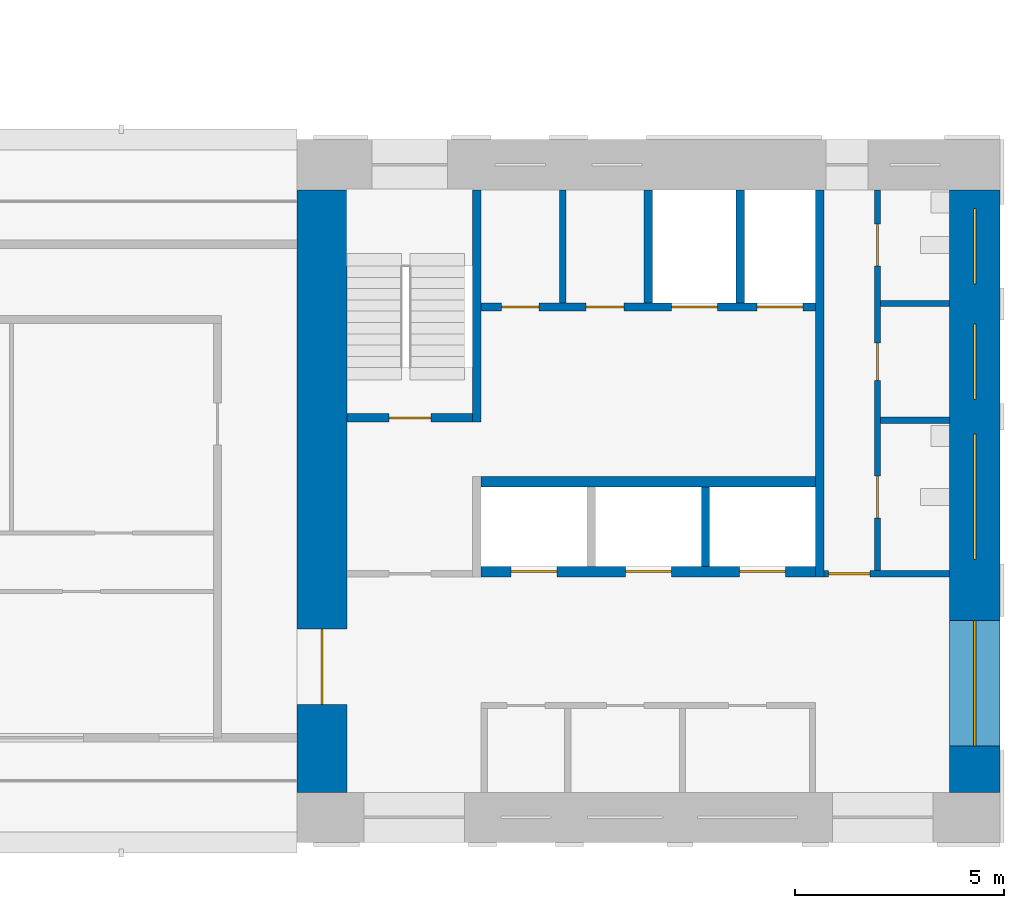
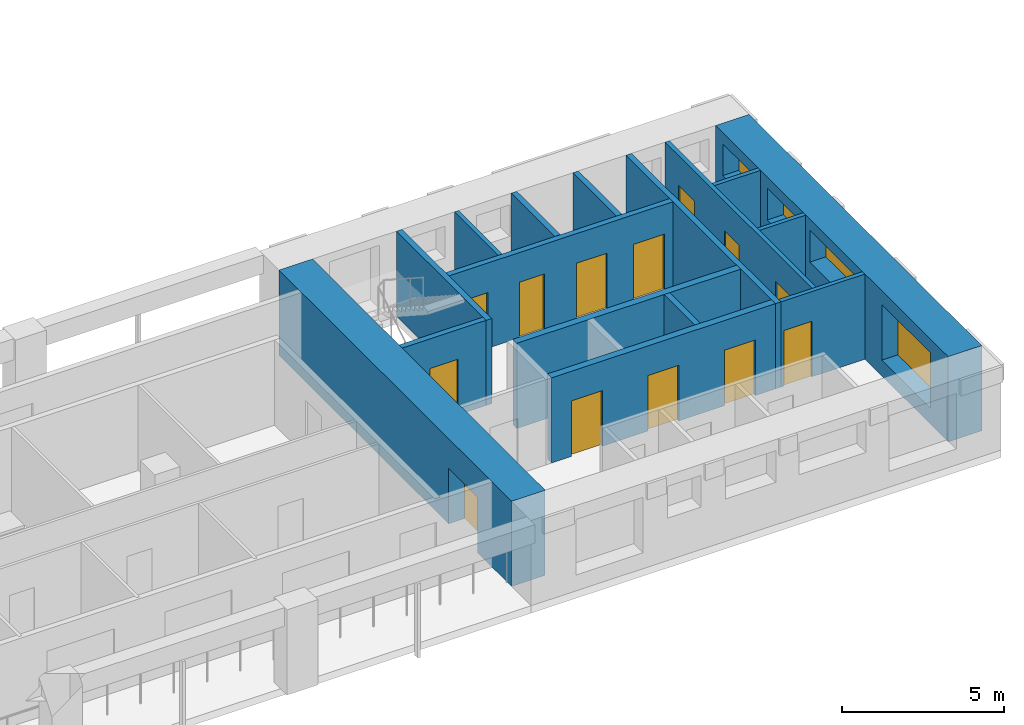
# One storey, part 4 of 9: 16 walls, 13 doors, 4 windows, 17 openings.
"""IFC4 building model written with IfcOpenShell, lengths in metres."""

from ifc_helpers import new_model, si_unit, direction, frame, frame_2d, origin, place, context, subcontext, project, spatial, rectangle, extrude, material, layer, layer_set, type_object, element, fill, save


model = new_model("IFC4")

# Units and contexts
model_context = context("Model", 3, precision=1e-05, world=origin(), true_north=direction((0.0, 1.0)))
body_context = subcontext(model_context, "Body", "Model", "MODEL_VIEW")
ifc_project = project(units=[si_unit("LENGTHUNIT", "METRE"), si_unit("AREAUNIT", "SQUARE_METRE"), si_unit("VOLUMEUNIT", "CUBIC_METRE"), si_unit("PLANEANGLEUNIT", "RADIAN"), si_unit("MASSUNIT", "GRAM", prefix="KILO")], contexts=[model_context])

# Site, building, storey
site_placement = place(None, origin())
site = spatial("IfcSite", under=ifc_project, at=site_placement, CompositionType="ELEMENT")
building_placement = place(site_placement, origin())
building = spatial("IfcBuilding", under=site, at=building_placement, Name="Vermilion Gate Residences", CompositionType="ELEMENT")
storey_placement = place(building_placement, frame((0.0, 0.0, 224.699951171875)))
storey = spatial("IfcBuildingStorey", under=building, at=storey_placement, Name="L58", CompositionType="ELEMENT", Elevation=224.699951171875)

# Wall
ifc_material_1 = material(Name="Masonry blockwork", Category="masonry")
ifc_layer_1 = layer(ifc_material_1, 0.14990234375)
ifc_layer_set_1 = layer_set([ifc_layer_1], Name="BLOCKWORK PARTITION 150 EI 120")
wall_type_1 = type_object("IfcWallType", Name="BLOCKWORK PARTITION 150 EI 120", PredefinedType="PARTITIONING", material=ifc_layer_set_1)
wall_1_placement = place(storey_placement, frame((48.35009765625, 21.300048828125, 0.0), z_axis=(0.0, 0.0, 1.0), x_axis=(0.0, 1.0, 0.0)))
element("IfcWall", 1, at=wall_1_placement, inside=storey, type_object=wall_type_1, Name="Core room partition A58-NR-P0", PredefinedType="PARTITIONING", context=body_context, shape_type="SweptSolid", body=[
    extrude(rectangle(XDim=2.699951171875, YDim=0.14990234375, at=frame_2d((1.35009765625, 0.0))), origin(), (0.0, 0.0, 1.0), 3.219970703125),
])

# Wall, opening, door
wall_2_placement = place(storey_placement, frame((54.60009765625, 14.824951171875, 0.0), z_axis=(0.0, 0.0, 1.0), x_axis=(1.0, 0.0, 0.0)))
wall_2 = element("IfcWall", 2, at=wall_2_placement, inside=storey, type_object=wall_type_1, Name="Core room partition A58-ES-S", PredefinedType="PARTITIONING", context=body_context, shape_type="SweptSolid", body=[
    extrude(rectangle(XDim=3.0, YDim=0.14990234375, at=frame_2d((1.5, 0.0))), origin(), (0.0, 0.0, 1.0), 3.219970703125),
])
opening_1_placement = place(wall_2_placement, frame((0.10009765625, 0.0, 0.0)))
opening_1 = element("IfcOpeningElement", 3, at=opening_1_placement, cuts=wall_2, Name="Opening DK58014", PredefinedType="OPENING", context=body_context, shape_type="SweptSolid", body=[
    extrude(rectangle(XDim=1.0, YDim=2.10009765625, at=frame_2d((0.5, 1.050048828125))), frame((0.0, 0.0849609375, 0.0), z_axis=(0.0, -1.0, 0.0), x_axis=(1.0, 0.0, 0.0)), (0.0, 0.0, 1.0), 0.169921875),
])
ifc_material_2 = material(Name="Steel", Category="steel")
door_type_1 = type_object("IfcDoorType", Name="FIRE DOOR FD60 1000 X 2100", OperationType="SINGLE_SWING_LEFT", PredefinedType="DOOR", material=ifc_material_2)
door_1_placement = place(opening_1_placement, frame((1.0, 0.0, 0.0), z_axis=(0.0, 0.0, 1.0), x_axis=(-1.0, 0.0, 0.0)))
door_1 = element("IfcDoor", 4, at=door_1_placement, inside=storey, type_object=door_type_1, Name="Service corridor door A58", OperationType="SINGLE_SWING_LEFT", OverallHeight=2.10009765625, OverallWidth=1.0, PredefinedType="DOOR", context=body_context, shape_type="SweptSolid", body=[
    extrude(rectangle(XDim=1.0, YDim=2.10009765625, at=frame_2d((0.5, 1.050048828125))), frame((0.0, 0.02490234375, 0.0), z_axis=(0.0, -1.0, 0.0), x_axis=(1.0, 0.0, 0.0)), (0.0, 0.0, 1.0), 0.050048828125),
])
fill(opening_1, door_1)

# Walls
for number, where, z_axis, x_axis, name in (
    (5, (55.949951171875, 18.4951171875, 0.0), (0.0, 0.0, 1.0), (1.0, 0.0, 0.0), "Core room partition A58-ES-P0"),
    (6, (55.949951171875, 21.284912109375, 0.0), (0.0, 0.0, 1.0), (1.0, 0.0, 0.0), "Core room partition A58-ES-P1"),
):
    element("IfcWall", number, at=place(storey_placement, frame(where, z_axis=z_axis, x_axis=x_axis)), inside=storey, type_object=wall_type_1, Name=name, PredefinedType="PARTITIONING", context=body_context, shape_type="SweptSolid", body=[
        extrude(rectangle(XDim=1.650146484375, YDim=0.14990234375, at=frame_2d((0.8251953125, 0.0))), origin(), (0.0, 0.0, 1.0), 3.219970703125),
    ])

# Wall, openings, doors
wall_3_placement = place(storey_placement, frame((55.875, 14.89990234375, 0.0), z_axis=(0.0, 0.0, 1.0), x_axis=(0.0, 1.0, 0.0)))
wall_3 = element("IfcWall", 7, at=wall_3_placement, inside=storey, type_object=wall_type_1, Name="Core room partition A58-ES-W", PredefinedType="PARTITIONING", context=body_context, shape_type="SweptSolid", body=[
    extrude(rectangle(XDim=9.10009765625, YDim=0.14990234375, at=frame_2d((4.550048828125, 0.0))), origin(), (0.0, 0.0, 1.0), 3.219970703125),
])
opening_2_placement = place(wall_3_placement, frame((1.260009765625, 0.0, 0.0)))
opening_2 = element("IfcOpeningElement", 8, at=opening_2_placement, cuts=wall_3, Name="Opening DK58015", PredefinedType="OPENING", context=body_context, shape_type="SweptSolid", body=[
    extrude(rectangle(XDim=1.0, YDim=2.10009765625, at=frame_2d((0.5, 1.050048828125))), frame((0.0, 0.0849609375, 0.0), z_axis=(0.0, -1.0, 0.0), x_axis=(1.0, 0.0, 0.0)), (0.0, 0.0, 1.0), 0.169921875),
])
opening_3_placement = place(wall_3_placement, frame((4.5400390625, 0.0, 0.0)))
opening_3 = element("IfcOpeningElement", 9, at=opening_3_placement, cuts=wall_3, Name="Opening DK58016", PredefinedType="OPENING", context=body_context, shape_type="SweptSolid", body=[
    extrude(rectangle(XDim=0.89990234375, YDim=2.10009765625, at=frame_2d((0.449951171875, 1.050048828125))), frame((0.0, 0.0849609375, 0.0), z_axis=(0.0, -1.0, 0.0), x_axis=(1.0, 0.0, 0.0)), (0.0, 0.0, 1.0), 0.169921875),
])
opening_4_placement = place(wall_3_placement, frame((7.280029296875, 0.0, 0.0)))
opening_4 = element("IfcOpeningElement", 10, at=opening_4_placement, cuts=wall_3, Name="Opening DK58017", PredefinedType="OPENING", context=body_context, shape_type="SweptSolid", body=[
    extrude(rectangle(XDim=1.0, YDim=2.10009765625, at=frame_2d((0.5, 1.050048828125))), frame((0.0, 0.0849609375, 0.0), z_axis=(0.0, -1.0, 0.0), x_axis=(1.0, 0.0, 0.0)), (0.0, 0.0, 1.0), 0.169921875),
])
door_2_placement = place(opening_2_placement, frame((1.0, 0.0, 0.0), z_axis=(0.0, 0.0, 1.0), x_axis=(-1.0, 0.0, 0.0)))
door_2 = element("IfcDoor", 11, at=door_2_placement, inside=storey, type_object=door_type_1, Name="Accessible WC A58", OperationType="SINGLE_SWING_RIGHT", OverallHeight=2.10009765625, OverallWidth=1.0, PredefinedType="DOOR", context=body_context, shape_type="SweptSolid", body=[
    extrude(rectangle(XDim=1.0, YDim=2.10009765625, at=frame_2d((0.5, 1.050048828125))), frame((0.0, 0.02490234375, 0.0), z_axis=(0.0, -1.0, 0.0), x_axis=(1.0, 0.0, 0.0)), (0.0, 0.0, 1.0), 0.050048828125),
])
fill(opening_2, door_2)
door_3_placement = place(opening_4_placement, frame((1.0, 0.0, 0.0), z_axis=(0.0, 0.0, 1.0), x_axis=(-1.0, 0.0, 0.0)))
door_3 = element("IfcDoor", 12, at=door_3_placement, inside=storey, type_object=door_type_1, Name="Accessible WC A58", OperationType="SINGLE_SWING_RIGHT", OverallHeight=2.10009765625, OverallWidth=1.0, PredefinedType="DOOR", context=body_context, shape_type="SweptSolid", body=[
    extrude(rectangle(XDim=1.0, YDim=2.10009765625, at=frame_2d((0.5, 1.050048828125))), frame((0.0, 0.02490234375, 0.0), z_axis=(0.0, -1.0, 0.0), x_axis=(1.0, 0.0, 0.0)), (0.0, 0.0, 1.0), 0.050048828125),
])
fill(opening_4, door_3)
ifc_material_3 = material(Name="Steel", Category="steel")
door_type_2 = type_object("IfcDoorType", Name="SERVICE ROOM DOOR FD60 900 X 2100", OperationType="SINGLE_SWING_LEFT", PredefinedType="DOOR", material=ifc_material_3)
door_4_placement = place(opening_3_placement, frame((0.89990234375, 0.0, 0.0), z_axis=(0.0, 0.0, 1.0), x_axis=(-1.0, 0.0, 0.0)))
door_4 = element("IfcDoor", 13, at=door_4_placement, inside=storey, type_object=door_type_2, Name="Communications room A58", OperationType="SINGLE_SWING_RIGHT", OverallHeight=2.10009765625, OverallWidth=0.89990234375, PredefinedType="DOOR", context=body_context, shape_type="SweptSolid", body=[
    extrude(rectangle(XDim=0.89990234375, YDim=2.10009765625, at=frame_2d((0.449951171875, 1.050048828125))), frame((0.0, 0.02490234375, 0.0), z_axis=(0.0, -1.0, 0.0), x_axis=(1.0, 0.0, 0.0)), (0.0, 0.0, 1.0), 0.050048828125),
])
fill(opening_3, door_4)

# Walls
ifc_material_4 = material(Name="Concrete C60", Category="concrete")
ifc_layer_2 = layer(ifc_material_4, 0.199951171875)
ifc_layer_set_2 = layer_set([ifc_layer_2], Name="RC CORE INTERNAL WALL 200 C60")
wall_type_2 = type_object("IfcWallType", Name="RC CORE INTERNAL WALL 200 C60", PredefinedType="SHEAR", material=ifc_layer_set_2)
wall_4_placement = place(storey_placement, frame((51.7666015625, 15.0, 0.0), z_axis=(0.0, 0.0, 1.0), x_axis=(0.0, 1.0, 0.0)))
element("IfcWall", 14, at=wall_4_placement, inside=storey, type_object=wall_type_2, Name="Core internal wall A58-HR-D2", PredefinedType="SHEAR", context=body_context, shape_type="SweptSolid", body=[
    extrude(rectangle(XDim=1.89990234375, YDim=0.199951171875, at=frame_2d((0.949951171875, 0.0))), origin(), (0.0, 0.0, 1.0), 3.219970703125),
])
for number, where, z_axis, x_axis, name in (
    (15, (50.39990234375, 21.300048828125, 0.0), (0.0, 0.0, 1.0), (0.0, 1.0, 0.0), "Core internal wall A58-FF-D0"),
    (16, (52.60009765625, 21.300048828125, 0.0), (0.0, 0.0, 1.0), (0.0, 1.0, 0.0), "Core internal wall A58-FF-D1"),
):
    element("IfcWall", number, at=place(storey_placement, frame(where, z_axis=z_axis, x_axis=x_axis)), inside=storey, type_object=wall_type_2, Name=name, PredefinedType="SHEAR", context=body_context, shape_type="SweptSolid", body=[
        extrude(rectangle(XDim=2.699951171875, YDim=0.199951171875, at=frame_2d((1.35009765625, 0.0))), origin(), (0.0, 0.0, 1.0), 3.219970703125),
    ])

# Wall, openings, doors
wall_5_placement = place(storey_placement, frame((46.39990234375, 21.199951171875, 0.0), z_axis=(0.0, 0.0, 1.0), x_axis=(1.0, 0.0, 0.0)))
wall_5 = element("IfcWall", 17, at=wall_5_placement, inside=storey, type_object=wall_type_2, Name="Core internal wall A58-FF-F", PredefinedType="SHEAR", context=body_context, shape_type="SweptSolid", body=[
    extrude(rectangle(XDim=8.0, YDim=0.199951171875, at=frame_2d((4.0, 0.0))), origin(), (0.0, 0.0, 1.0), 3.219970703125),
])
opening_5_placement = place(wall_5_placement, frame((0.487548828125, 0.0, 0.0)))
opening_5 = element("IfcOpeningElement", 18, at=opening_5_placement, cuts=wall_5, Name="Opening DK58008", PredefinedType="OPENING", context=body_context, shape_type="SweptSolid", body=[
    extrude(rectangle(XDim=0.89990234375, YDim=2.10009765625, at=frame_2d((0.449951171875, 1.050048828125))), frame((0.0, 0.10986328125, 0.0), z_axis=(0.0, -1.0, 0.0), x_axis=(1.0, 0.0, 0.0)), (0.0, 0.0, 1.0), 0.219970703125),
])
opening_6_placement = place(wall_5_placement, frame((2.512451171875, 0.0, 0.0)))
opening_6 = element("IfcOpeningElement", 19, at=opening_6_placement, cuts=wall_5, Name="Opening DK58009", PredefinedType="OPENING", context=body_context, shape_type="SweptSolid", body=[
    extrude(rectangle(XDim=0.89990234375, YDim=2.10009765625, at=frame_2d((0.449951171875, 1.050048828125))), frame((0.0, 0.10986328125, 0.0), z_axis=(0.0, -1.0, 0.0), x_axis=(1.0, 0.0, 0.0)), (0.0, 0.0, 1.0), 0.219970703125),
])
opening_7_placement = place(wall_5_placement, frame((4.550048828125, 0.0, 0.0)))
opening_7 = element("IfcOpeningElement", 20, at=opening_7_placement, cuts=wall_5, Name="Opening LD", PredefinedType="OPENING", context=body_context, shape_type="SweptSolid", body=[
    extrude(rectangle(XDim=1.10009765625, YDim=2.10009765625, at=frame_2d((0.550048828125, 1.050048828125))), frame((0.0, 0.10986328125, 0.0), z_axis=(0.0, -1.0, 0.0), x_axis=(1.0, 0.0, 0.0)), (0.0, 0.0, 1.0), 0.219970703125),
])
opening_8_placement = place(wall_5_placement, frame((6.60009765625, 0.0, 0.0)))
opening_8 = element("IfcOpeningElement", 21, at=opening_8_placement, cuts=wall_5, Name="Opening LD", PredefinedType="OPENING", context=body_context, shape_type="SweptSolid", body=[
    extrude(rectangle(XDim=1.10009765625, YDim=2.10009765625, at=frame_2d((0.550048828125, 1.050048828125))), frame((0.0, 0.10986328125, 0.0), z_axis=(0.0, -1.0, 0.0), x_axis=(1.0, 0.0, 0.0)), (0.0, 0.0, 1.0), 0.219970703125),
])
ifc_material_5 = material(Name="Stainless steel", Category="steel")
door_type_3 = type_object("IfcDoorType", Name="LIFT LANDING DOOR E60 1100 X 2100", OperationType="DOUBLE_DOOR_SLIDING", PredefinedType="DOOR", material=ifc_material_5)
door_5_placement = place(opening_7_placement, origin())
door_5 = element("IfcDoor", 22, at=door_5_placement, inside=storey, type_object=door_type_3, Name="Lift landing door LFA1", OperationType="DOUBLE_DOOR_SLIDING", OverallHeight=2.10009765625, OverallWidth=1.10009765625, PredefinedType="DOOR", context=body_context, shape_type="SweptSolid", body=[
    extrude(rectangle(XDim=1.10009765625, YDim=2.10009765625, at=frame_2d((0.550048828125, 1.050048828125))), frame((0.0, 0.02490234375, 0.0), z_axis=(0.0, -1.0, 0.0), x_axis=(1.0, 0.0, 0.0)), (0.0, 0.0, 1.0), 0.050048828125),
])
fill(opening_7, door_5)
door_6_placement = place(opening_8_placement, origin())
door_6 = element("IfcDoor", 23, at=door_6_placement, inside=storey, type_object=door_type_3, Name="Lift landing door LCA1", OperationType="DOUBLE_DOOR_SLIDING", OverallHeight=2.10009765625, OverallWidth=1.10009765625, PredefinedType="DOOR", context=body_context, shape_type="SweptSolid", body=[
    extrude(rectangle(XDim=1.10009765625, YDim=2.10009765625, at=frame_2d((0.550048828125, 1.050048828125))), frame((0.0, 0.02490234375, 0.0), z_axis=(0.0, -1.0, 0.0), x_axis=(1.0, 0.0, 0.0)), (0.0, 0.0, 1.0), 0.050048828125),
])
fill(opening_8, door_6)
door_7_placement = place(opening_5_placement, origin())
door_7 = element("IfcDoor", 24, at=door_7_placement, inside=storey, type_object=door_type_2, Name="Housekeeping store A58", OperationType="SINGLE_SWING_LEFT", OverallHeight=2.10009765625, OverallWidth=0.89990234375, PredefinedType="DOOR", context=body_context, shape_type="SweptSolid", body=[
    extrude(rectangle(XDim=0.89990234375, YDim=2.10009765625, at=frame_2d((0.449951171875, 1.050048828125))), frame((0.0, 0.02490234375, 0.0), z_axis=(0.0, -1.0, 0.0), x_axis=(1.0, 0.0, 0.0)), (0.0, 0.0, 1.0), 0.050048828125),
])
fill(opening_5, door_7)
door_8_placement = place(opening_6_placement, origin())
door_8 = element("IfcDoor", 25, at=door_8_placement, inside=storey, type_object=door_type_2, Name="Mail room A58", OperationType="SINGLE_SWING_LEFT", OverallHeight=2.10009765625, OverallWidth=0.89990234375, PredefinedType="DOOR", context=body_context, shape_type="SweptSolid", body=[
    extrude(rectangle(XDim=0.89990234375, YDim=2.10009765625, at=frame_2d((0.449951171875, 1.050048828125))), frame((0.0, 0.02490234375, 0.0), z_axis=(0.0, -1.0, 0.0), x_axis=(1.0, 0.0, 0.0)), (0.0, 0.0, 1.0), 0.050048828125),
])
fill(opening_6, door_8)

# Wall
wall_6_placement = place(storey_placement, frame((46.300048828125, 18.449951171875, 0.0), z_axis=(0.0, 0.0, 1.0), x_axis=(0.0, 1.0, 0.0)))
element("IfcWall", 26, at=wall_6_placement, inside=storey, type_object=wall_type_2, Name="Core internal wall A58-WDIV2", PredefinedType="SHEAR", context=body_context, shape_type="SweptSolid", body=[
    extrude(rectangle(XDim=5.550048828125, YDim=0.199951171875, at=frame_2d((2.77490234375, 0.0))), origin(), (0.0, 0.0, 1.0), 3.219970703125),
])

# Wall, opening, door
wall_7_placement = place(storey_placement, frame((43.199951171875, 18.550048828125, 0.0), z_axis=(0.0, 0.0, 1.0), x_axis=(1.0, 0.0, 0.0)))
wall_7 = element("IfcWall", 27, at=wall_7_placement, inside=storey, type_object=wall_type_2, Name="Core internal wall A58-STW-S", PredefinedType="SHEAR", context=body_context, shape_type="SweptSolid", body=[
    extrude(rectangle(XDim=3.0, YDim=0.199951171875, at=frame_2d((1.5, 0.0))), origin(), (0.0, 0.0, 1.0), 3.219970703125),
])
opening_9_placement = place(wall_7_placement, frame((1.0, 0.0, 0.0)))
opening_9 = element("IfcOpeningElement", 28, at=opening_9_placement, cuts=wall_7, Name="Opening DK58013", PredefinedType="OPENING", context=body_context, shape_type="SweptSolid", body=[
    extrude(rectangle(XDim=1.0, YDim=2.10009765625, at=frame_2d((0.5, 1.050048828125))), frame((0.0, 0.10986328125, 0.0), z_axis=(0.0, -1.0, 0.0), x_axis=(1.0, 0.0, 0.0)), (0.0, 0.0, 1.0), 0.219970703125),
])
door_9_placement = place(opening_9_placement, origin())
door_9 = element("IfcDoor", 29, at=door_9_placement, inside=storey, type_object=door_type_1, Name="Stair door A58", OperationType="SINGLE_SWING_LEFT", OverallHeight=2.10009765625, OverallWidth=1.0, PredefinedType="DOOR", context=body_context, shape_type="SweptSolid", body=[
    extrude(rectangle(XDim=1.0, YDim=2.10009765625, at=frame_2d((0.5, 1.050048828125))), frame((0.0, 0.02490234375, 0.0), z_axis=(0.0, -1.0, 0.0), x_axis=(1.0, 0.0, 0.0)), (0.0, 0.0, 1.0), 0.050048828125),
])
fill(opening_9, door_9)

# Wall
wall_8_placement = place(storey_placement, frame((54.5, 14.75, 0.0), z_axis=(0.0, 0.0, 1.0), x_axis=(0.0, 1.0, 0.0)))
element("IfcWall", 30, at=wall_8_placement, inside=storey, type_object=wall_type_2, Name="Core internal wall A58-EDIV", PredefinedType="SHEAR", context=body_context, shape_type="SweptSolid", body=[
    extrude(rectangle(XDim=9.25, YDim=0.199951171875, at=frame_2d((4.625, 0.0))), origin(), (0.0, 0.0, 1.0), 3.219970703125),
])

# Wall, opening, door
ifc_material_6 = material(Name="Concrete C50", Category="concrete")
ifc_layer_3 = layer(ifc_material_6, 1.199951171875)
ifc_layer_set_3 = layer_set([ifc_layer_3], Name="RC CORE WALL 1200 C50")
wall_type_3 = type_object("IfcWallType", Name="RC CORE WALL 1200 C50", PredefinedType="SHEAR", material=ifc_layer_set_3)
wall_9_placement = place(storey_placement, frame((42.60009765625, 9.60009765625, 0.0), z_axis=(0.0, 0.0, 1.0), x_axis=(0.0, 1.0, 0.0)))
wall_9 = element("IfcWall", 31, at=wall_9_placement, inside=storey, type_object=wall_type_3, Name="Core wall A58-OUT-FR", PredefinedType="SHEAR", context=body_context, shape_type="SweptSolid", body=[
    extrude(rectangle(XDim=14.39990234375, YDim=1.199951171875, at=frame_2d((7.199951171875, 0.0))), origin(), (0.0, 0.0, 1.0), 3.219970703125),
])
opening_10_placement = place(wall_9_placement, frame((2.10009765625, 0.0, 0.0)))
opening_10 = element("IfcOpeningElement", 32, at=opening_10_placement, cuts=wall_9, Name="Opening DK58001", PredefinedType="OPENING", context=body_context, shape_type="SweptSolid", body=[
    extrude(rectangle(XDim=1.800048828125, YDim=2.10009765625, at=frame_2d((0.89990234375, 1.050048828125))), frame((0.0, 0.60986328125, 0.0), z_axis=(0.0, -1.0, 0.0), x_axis=(1.0, 0.0, 0.0)), (0.0, 0.0, 1.0), 1.219970703125),
])
ifc_material_7 = material(Name="Steel", Category="steel")
door_type_4 = type_object("IfcDoorType", Name="CORE LOBBY DOOR FD60 1800 X 2100", OperationType="DOUBLE_DOOR_SINGLE_SWING", PredefinedType="DOOR", material=ifc_material_7)
door_10_placement = place(opening_10_placement, frame((1.800048828125, 0.0, 0.0), z_axis=(0.0, 0.0, 1.0), x_axis=(-1.0, 0.0, 0.0)))
door_10 = element("IfcDoor", 33, at=door_10_placement, inside=storey, type_object=door_type_4, Name="Core lobby door A58", OperationType="DOUBLE_DOOR_SINGLE_SWING", OverallHeight=2.10009765625, OverallWidth=1.800048828125, PredefinedType="DOOR", context=body_context, shape_type="SweptSolid", body=[
    extrude(rectangle(XDim=1.800048828125, YDim=2.10009765625, at=frame_2d((0.89990234375, 1.050048828125))), frame((0.0, 0.02490234375, 0.0), z_axis=(0.0, -1.0, 0.0), x_axis=(1.0, 0.0, 0.0)), (0.0, 0.0, 1.0), 0.050048828125),
])
fill(opening_10, door_10)

# Wall, openings, windows
ifc_material_8 = material(Name="Concrete C50 red-oxide pigmented", Category="concrete")
ifc_layer_4 = layer(ifc_material_8, 1.199951171875)
ifc_layer_set_4 = layer_set([ifc_layer_4], Name="RC CORE WALL 1200 C50 RED OXIDE")
wall_type_4 = type_object("IfcWallType", Name="RC CORE WALL 1200 C50 RED OXIDE", PredefinedType="SHEAR", material=ifc_layer_set_4)
wall_10_placement = place(storey_placement, frame((58.199951171875, 9.60009765625, 0.0), z_axis=(0.0, 0.0, 1.0), x_axis=(0.0, 1.0, 0.0)))
wall_10 = element("IfcWall", 34, at=wall_10_placement, inside=storey, type_object=wall_type_4, Name="Core wall A58-OUT-BK", PredefinedType="SHEAR", context=body_context, shape_type="SweptSolid", body=[
    extrude(rectangle(XDim=14.39990234375, YDim=1.199951171875, at=frame_2d((7.199951171875, 0.0))), origin(), (0.0, 0.0, 1.0), 3.219970703125),
])
opening_11_placement = place(wall_10_placement, frame((1.10498046875, 0.0, 0.60009765625)))
opening_11 = element("IfcOpeningElement", 35, at=opening_11_placement, cuts=wall_10, Name="Opening WKA5811", PredefinedType="OPENING", context=body_context, shape_type="SweptSolid", body=[
    extrude(rectangle(XDim=3.0, YDim=2.10009765625, at=frame_2d((1.5, 1.050048828125))), frame((0.0, 0.60986328125, 0.0), z_axis=(0.0, -1.0, 0.0), x_axis=(1.0, 0.0, 0.0)), (0.0, 0.0, 1.0), 1.219970703125),
])
opening_12_placement = place(wall_10_placement, frame((5.56005859375, 0.0, 1.60009765625)))
opening_12 = element("IfcOpeningElement", 36, at=opening_12_placement, cuts=wall_10, Name="Opening WKA5812", PredefinedType="OPENING", context=body_context, shape_type="SweptSolid", body=[
    extrude(rectangle(XDim=3.0, YDim=1.199951171875, at=frame_2d((1.5, 0.60009765625))), frame((0.0, 0.60986328125, 0.0), z_axis=(0.0, -1.0, 0.0), x_axis=(1.0, 0.0, 0.0)), (0.0, 0.0, 1.0), 1.219970703125),
])
opening_13_placement = place(wall_10_placement, frame((9.389892578125, 0.0, 1.60009765625)))
opening_13 = element("IfcOpeningElement", 37, at=opening_13_placement, cuts=wall_10, Name="Opening WKA5813", PredefinedType="OPENING", context=body_context, shape_type="SweptSolid", body=[
    extrude(rectangle(XDim=1.800048828125, YDim=1.199951171875, at=frame_2d((0.89990234375, 0.60009765625))), frame((0.0, 0.60986328125, 0.0), z_axis=(0.0, -1.0, 0.0), x_axis=(1.0, 0.0, 0.0)), (0.0, 0.0, 1.0), 1.219970703125),
])
opening_14_placement = place(wall_10_placement, frame((12.14990234375, 0.0, 1.60009765625)))
opening_14 = element("IfcOpeningElement", 38, at=opening_14_placement, cuts=wall_10, Name="Opening WKA5814", PredefinedType="OPENING", context=body_context, shape_type="SweptSolid", body=[
    extrude(rectangle(XDim=1.800048828125, YDim=1.199951171875, at=frame_2d((0.89990234375, 0.60009765625))), frame((0.0, 0.60986328125, 0.0), z_axis=(0.0, -1.0, 0.0), x_axis=(1.0, 0.0, 0.0)), (0.0, 0.0, 1.0), 1.219970703125),
])
ifc_material_9 = material(Name="Aluminium and clear glass", Category="aluminium")
window_type_1 = type_object("IfcWindowType", Name="CORE LOBBY WINDOW 3000 X 2100", PartitioningType="SINGLE_PANEL", PredefinedType="WINDOW", material=ifc_material_9)
window_1_placement = place(opening_11_placement, origin())
window_1 = element("IfcWindow", 39, at=window_1_placement, inside=storey, type_object=window_type_1, Name="Core lobby window", OverallHeight=2.10009765625, OverallWidth=3.0, PartitioningType="SINGLE_PANEL", PredefinedType="WINDOW", context=body_context, shape_type="SweptSolid", body=[
    extrude(rectangle(XDim=3.0, YDim=2.10009765625, at=frame_2d((1.5, 1.050048828125))), frame((0.0, 0.030029296875, 0.0), z_axis=(0.0, -1.0, 0.0), x_axis=(1.0, 0.0, 0.0)), (0.0, 0.0, 1.0), 0.06005859375),
])
fill(opening_11, window_1)
ifc_material_10 = material(Name="Aluminium frame with louvre blades", Category="aluminium")
window_type_2 = type_object("IfcWindowType", Name="CORE LOUVRE 1800 X 1200", PartitioningType="SINGLE_PANEL", PredefinedType="WINDOW", material=ifc_material_10)
window_2_placement = place(opening_13_placement, origin())
window_2 = element("IfcWindow", 40, at=window_2_placement, inside=storey, type_object=window_type_2, Name="Core louvre", OverallHeight=1.199951171875, OverallWidth=1.800048828125, PartitioningType="SINGLE_PANEL", PredefinedType="WINDOW", context=body_context, shape_type="SweptSolid", body=[
    extrude(rectangle(XDim=1.800048828125, YDim=1.199951171875, at=frame_2d((0.89990234375, 0.60009765625))), frame((0.0, 0.030029296875, 0.0), z_axis=(0.0, -1.0, 0.0), x_axis=(1.0, 0.0, 0.0)), (0.0, 0.0, 1.0), 0.06005859375),
])
fill(opening_13, window_2)
window_3_placement = place(opening_14_placement, origin())
window_3 = element("IfcWindow", 41, at=window_3_placement, inside=storey, type_object=window_type_2, Name="Core louvre", OverallHeight=1.199951171875, OverallWidth=1.800048828125, PartitioningType="SINGLE_PANEL", PredefinedType="WINDOW", context=body_context, shape_type="SweptSolid", body=[
    extrude(rectangle(XDim=1.800048828125, YDim=1.199951171875, at=frame_2d((0.89990234375, 0.60009765625))), frame((0.0, 0.030029296875, 0.0), z_axis=(0.0, -1.0, 0.0), x_axis=(1.0, 0.0, 0.0)), (0.0, 0.0, 1.0), 0.06005859375),
])
fill(opening_14, window_3)
ifc_material_11 = material(Name="Aluminium frame with louvre blades", Category="aluminium")
window_type_3 = type_object("IfcWindowType", Name="CORE LOUVRE 3000 X 1200", PartitioningType="SINGLE_PANEL", PredefinedType="WINDOW", material=ifc_material_11)
window_4_placement = place(opening_12_placement, origin())
window_4 = element("IfcWindow", 42, at=window_4_placement, inside=storey, type_object=window_type_3, Name="Core louvre", OverallHeight=1.199951171875, OverallWidth=3.0, PartitioningType="SINGLE_PANEL", PredefinedType="WINDOW", context=body_context, shape_type="SweptSolid", body=[
    extrude(rectangle(XDim=3.0, YDim=1.199951171875, at=frame_2d((1.5, 0.60009765625))), frame((0.0, 0.030029296875, 0.0), z_axis=(0.0, -1.0, 0.0), x_axis=(1.0, 0.0, 0.0)), (0.0, 0.0, 1.0), 0.06005859375),
])
fill(opening_12, window_4)

# Wall, openings, doors
ifc_material_12 = material(Name="Concrete C60", Category="concrete")
ifc_layer_5 = layer(ifc_material_12, 0.25)
ifc_layer_set_5 = layer_set([ifc_layer_5], Name="RC LIFT SHAFT WALL 250 C60")
wall_type_5 = type_object("IfcWallType", Name="RC LIFT SHAFT WALL 250 C60", PredefinedType="SHEAR", material=ifc_layer_set_5)
wall_11_placement = place(storey_placement, frame((46.39990234375, 14.875, 0.0), z_axis=(0.0, 0.0, 1.0), x_axis=(1.0, 0.0, 0.0)))
wall_11 = element("IfcWall", 43, at=wall_11_placement, inside=storey, type_object=wall_type_5, Name="Lift shaft wall A58-HR-F", PredefinedType="SHEAR", context=body_context, shape_type="SweptSolid", body=[
    extrude(rectangle(XDim=8.0, YDim=0.25, at=frame_2d((4.0, 0.0))), origin(), (0.0, 0.0, 1.0), 3.219970703125),
])
opening_15_placement = place(wall_11_placement, frame((0.716552734375, 0.0, 0.0)))
opening_15 = element("IfcOpeningElement", 44, at=opening_15_placement, cuts=wall_11, Name="Opening LD", PredefinedType="OPENING", context=body_context, shape_type="SweptSolid", body=[
    extrude(rectangle(XDim=1.10009765625, YDim=2.10009765625, at=frame_2d((0.550048828125, 1.050048828125))), frame((0.0, 0.135009765625, 0.0), z_axis=(0.0, -1.0, 0.0), x_axis=(1.0, 0.0, 0.0)), (0.0, 0.0, 1.0), 0.27001953125),
])
opening_16_placement = place(wall_11_placement, frame((3.449951171875, 0.0, 0.0)))
opening_16 = element("IfcOpeningElement", 45, at=opening_16_placement, cuts=wall_11, Name="Opening LD", PredefinedType="OPENING", context=body_context, shape_type="SweptSolid", body=[
    extrude(rectangle(XDim=1.10009765625, YDim=2.10009765625, at=frame_2d((0.550048828125, 1.050048828125))), frame((0.0, 0.135009765625, 0.0), z_axis=(0.0, -1.0, 0.0), x_axis=(1.0, 0.0, 0.0)), (0.0, 0.0, 1.0), 0.27001953125),
])
opening_17_placement = place(wall_11_placement, frame((6.183349609375, 0.0, 0.0)))
opening_17 = element("IfcOpeningElement", 46, at=opening_17_placement, cuts=wall_11, Name="Opening LD", PredefinedType="OPENING", context=body_context, shape_type="SweptSolid", body=[
    extrude(rectangle(XDim=1.10009765625, YDim=2.10009765625, at=frame_2d((0.550048828125, 1.050048828125))), frame((0.0, 0.135009765625, 0.0), z_axis=(0.0, -1.0, 0.0), x_axis=(1.0, 0.0, 0.0)), (0.0, 0.0, 1.0), 0.27001953125),
])
door_11_placement = place(opening_15_placement, origin())
door_11 = element("IfcDoor", 47, at=door_11_placement, inside=storey, type_object=door_type_3, Name="Lift landing door HRA1", OperationType="DOUBLE_DOOR_SLIDING", OverallHeight=2.10009765625, OverallWidth=1.10009765625, PredefinedType="DOOR", context=body_context, shape_type="SweptSolid", body=[
    extrude(rectangle(XDim=1.10009765625, YDim=2.10009765625, at=frame_2d((0.550048828125, 1.050048828125))), frame((0.0, 0.02490234375, 0.0), z_axis=(0.0, -1.0, 0.0), x_axis=(1.0, 0.0, 0.0)), (0.0, 0.0, 1.0), 0.050048828125),
])
fill(opening_15, door_11)
door_12_placement = place(opening_16_placement, origin())
door_12 = element("IfcDoor", 48, at=door_12_placement, inside=storey, type_object=door_type_3, Name="Lift landing door HRA2", OperationType="DOUBLE_DOOR_SLIDING", OverallHeight=2.10009765625, OverallWidth=1.10009765625, PredefinedType="DOOR", context=body_context, shape_type="SweptSolid", body=[
    extrude(rectangle(XDim=1.10009765625, YDim=2.10009765625, at=frame_2d((0.550048828125, 1.050048828125))), frame((0.0, 0.02490234375, 0.0), z_axis=(0.0, -1.0, 0.0), x_axis=(1.0, 0.0, 0.0)), (0.0, 0.0, 1.0), 0.050048828125),
])
fill(opening_16, door_12)
door_13_placement = place(opening_17_placement, origin())
door_13 = element("IfcDoor", 49, at=door_13_placement, inside=storey, type_object=door_type_3, Name="Lift landing door HRA3", OperationType="DOUBLE_DOOR_SLIDING", OverallHeight=2.10009765625, OverallWidth=1.10009765625, PredefinedType="DOOR", context=body_context, shape_type="SweptSolid", body=[
    extrude(rectangle(XDim=1.10009765625, YDim=2.10009765625, at=frame_2d((0.550048828125, 1.050048828125))), frame((0.0, 0.02490234375, 0.0), z_axis=(0.0, -1.0, 0.0), x_axis=(1.0, 0.0, 0.0)), (0.0, 0.0, 1.0), 0.050048828125),
])
fill(opening_17, door_13)

# Wall
wall_12_placement = place(storey_placement, frame((46.39990234375, 17.02490234375, 0.0), z_axis=(0.0, 0.0, 1.0), x_axis=(1.0, 0.0, 0.0)))
element("IfcWall", 50, at=wall_12_placement, inside=storey, type_object=wall_type_5, Name="Lift shaft wall A58-HR-B", PredefinedType="SHEAR", context=body_context, shape_type="SweptSolid", body=[
    extrude(rectangle(XDim=8.0, YDim=0.25, at=frame_2d((4.0, 0.0))), origin(), (0.0, 0.0, 1.0), 3.219970703125),
])

save(model, "model.ifc")
